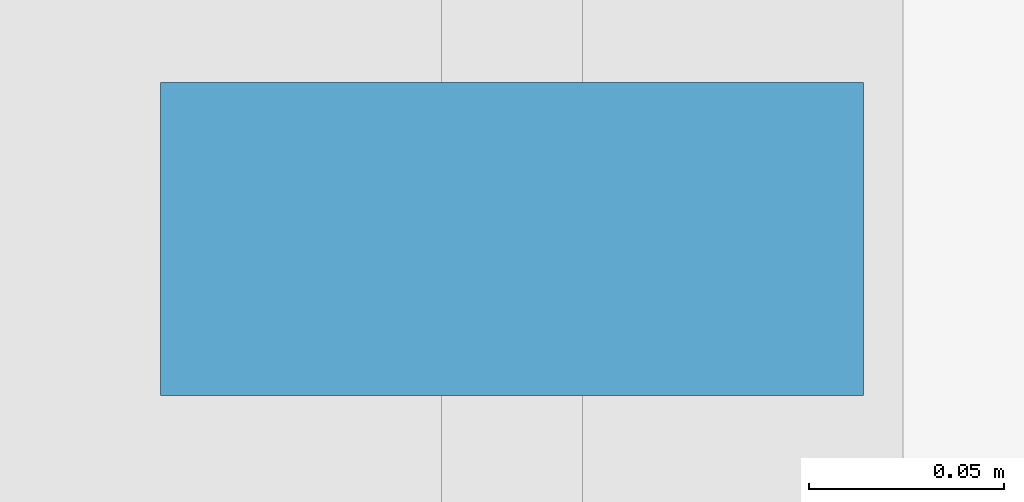
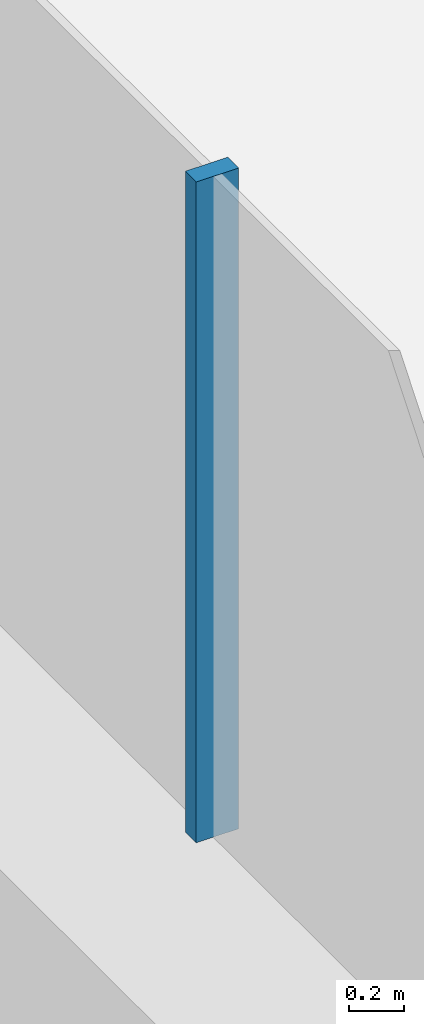
# One storey, part 7 of 37: 1 member, 1 element without a shape of its own.
"""IFC4 building model written with IfcOpenShell, lengths in metres."""

from ifc_helpers import new_model, si_unit, direction, frame, origin, origin_2d, place, context, subcontext, project, spatial, rectangle, extrude, material, layer, layer_set, material_profile, profile_set, type_object, element, aggregate, save


model = new_model("IFC4")

# Units and contexts
model_context = context("Model", 3, precision=1e-05, world=origin(), true_north=direction((0.0, 1.0)))
body_context = subcontext(model_context, "Body", "Model", "MODEL_VIEW")
ifc_project = project(units=[si_unit("LENGTHUNIT", "METRE"), si_unit("AREAUNIT", "SQUARE_METRE"), si_unit("VOLUMEUNIT", "CUBIC_METRE"), si_unit("PLANEANGLEUNIT", "RADIAN"), si_unit("MASSUNIT", "GRAM", prefix="KILO")], contexts=[model_context])

# Site, building, storey
site_placement = place(None, origin())
site = spatial("IfcSite", under=ifc_project, at=site_placement, CompositionType="ELEMENT")
building_placement = place(site_placement, origin())
building = spatial("IfcBuilding", under=site, at=building_placement, Name="Tamarind Cross Interchange Tower", CompositionType="ELEMENT")
storey_placement = place(building_placement, frame((0.0, 0.0, 29.5)))
storey = spatial("IfcBuildingStorey", under=building, at=storey_placement, Name="L05", CompositionType="ELEMENT", Elevation=29.5)

# Curtain wall, member
ifc_material = material(Name="Aluminium 6063-T6", Category="aluminium")
ifc_layer = layer(ifc_material, 0.179931640625)
ifc_layer_set = layer_set([ifc_layer], Name="Aluminium 6063-T6")
curtain_wall_type = type_object("IfcCurtainWallType", Name="Sky lobby curtain wall, fire-resisting glazing", PredefinedType="NOTDEFINED", material=ifc_layer_set)
curtain_wall_placement = place(storey_placement, origin())
curtain_wall = element("IfcCurtainWall", 1, at=curtain_wall_placement, inside=storey, type_object=curtain_wall_type, Name="CWS-L05-04", PredefinedType="NOTDEFINED")
ifc_material_profile = material_profile(ifc_material, rectangle(XDim=0.080078125, YDim=0.179931640625, at=origin_2d()), Name="Mullion CW4")
ifc_profile_set = profile_set([ifc_material_profile], Name="Aluminium 6063-T6")
member_type = type_object("IfcMemberType", Name="Mullion CW4", PredefinedType="MULLION", material=ifc_profile_set)
member_placement = place(storey_placement, frame((-60.800048828125, 4.5439453125, 1.39990234375), z_axis=(0.0, 0.0, 1.0), x_axis=(0.0, -1.0, 0.0)))
member = element("IfcMember", 2, at=member_placement, type_object=member_type, Name="CWM-L05-04-10", PredefinedType="MULLION", context=body_context, shape_type="SweptSolid", body=[
    extrude(rectangle(XDim=0.080078125, YDim=0.179931640625, at=origin_2d()), origin(), (0.0, 0.0, 1.0), 2.960205078125),
])
aggregate(curtain_wall, [member])

save(model, "model.ifc")
